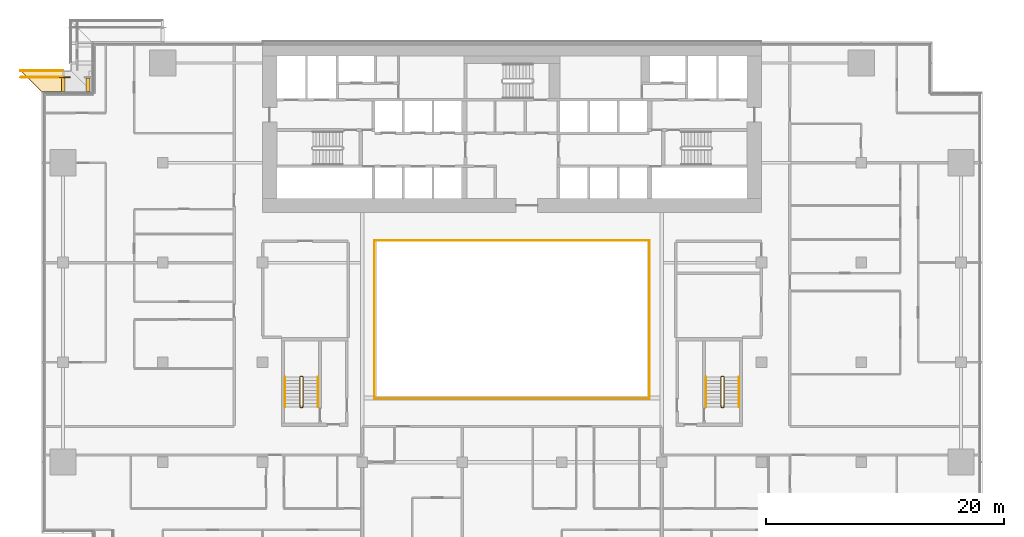
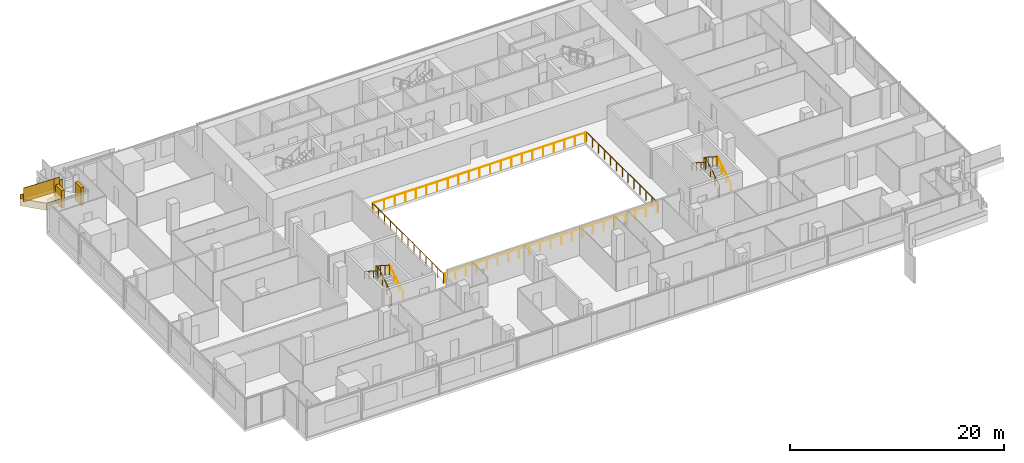
# One storey, part 26 of 30: 13 railings, 4 coverings.
"""IFC4 building model written with IfcOpenShell, lengths in metres."""

from ifc_helpers import new_model, si_unit, direction, frame, origin, origin_2d, place, context, subcontext, project, spatial, polyline, rectangle, circle, outline, extrude, material, layer, layer_set, type_object, element, save


model = new_model("IFC4")

# Units and contexts
model_context = context("Model", 3, precision=1e-05, world=origin(), true_north=direction((0.0, 1.0)))
body_context = subcontext(model_context, "Body", "Model", "MODEL_VIEW")
ifc_project = project(units=[si_unit("LENGTHUNIT", "METRE"), si_unit("AREAUNIT", "SQUARE_METRE"), si_unit("VOLUMEUNIT", "CUBIC_METRE"), si_unit("PLANEANGLEUNIT", "RADIAN"), si_unit("MASSUNIT", "GRAM", prefix="KILO")], contexts=[model_context])

# Site, building, storey
site_placement = place(None, origin())
site = spatial("IfcSite", under=ifc_project, at=site_placement, CompositionType="ELEMENT")
building_placement = place(site_placement, origin())
building = spatial("IfcBuilding", under=site, at=building_placement, Name="Saffron Gate Tower", CompositionType="ELEMENT")
storey_placement = place(building_placement, frame((0.0, 0.0, 69.60009765625)))
storey = spatial("IfcBuildingStorey", under=building, at=storey_placement, Name="L16", CompositionType="ELEMENT", Elevation=69.60009765625)

# Railings
ifc_material_1 = material(Name="Stainless steel and laminated glass", Category="steel")
railing_type_1 = type_object("IfcRailingType", Name="AG1 Atrium edge guard 1100", PredefinedType="GUARDRAIL", material=ifc_material_1)
railing_1_placement = place(storey_placement, frame((76.02001953125, 45.5400390625, 0.0)))
element("IfcRailing", 1, at=railing_1_placement, inside=storey, type_object=railing_type_1, Name="Guard A4-1", PredefinedType="GUARDRAIL", context=body_context, shape_type="SweptSolid", body=[
    extrude(circle(Radius=0.02392578125, at=origin_2d()), frame((0.0, 0.0, 1.076171875), z_axis=(0.0, 1.0, 0.0), x_axis=(-1.0, 0.0, 0.0)), (0.0, 0.0, 1.0), 13.320068359375),
    extrude(circle(Radius=0.02099609375, at=origin_2d()), origin(), (0.0, 0.0, 1.0), 1.052001953125),
    extrude(circle(Radius=0.02099609375, at=origin_2d()), frame((0.0, 1.110107421875, 0.0)), (0.0, 0.0, 1.0), 1.052001953125),
    extrude(circle(Radius=0.02099609375, at=origin_2d()), frame((0.0, 2.219970703125, 0.0)), (0.0, 0.0, 1.0), 1.052001953125),
    extrude(circle(Radius=0.02099609375, at=origin_2d()), frame((0.0, 3.330078125, 0.0)), (0.0, 0.0, 1.0), 1.052001953125),
    extrude(circle(Radius=0.02099609375, at=origin_2d()), frame((0.0, 4.43994140625, 0.0)), (0.0, 0.0, 1.0), 1.052001953125),
    extrude(circle(Radius=0.02099609375, at=origin_2d()), frame((0.0, 5.550048828125, 0.0)), (0.0, 0.0, 1.0), 1.052001953125),
    extrude(circle(Radius=0.02099609375, at=origin_2d()), frame((0.0, 6.66015625, 0.0)), (0.0, 0.0, 1.0), 1.052001953125),
    extrude(circle(Radius=0.02099609375, at=origin_2d()), frame((0.0, 7.77001953125, 0.0)), (0.0, 0.0, 1.0), 1.052001953125),
    extrude(circle(Radius=0.02099609375, at=origin_2d()), frame((0.0, 8.880126953125, 0.0)), (0.0, 0.0, 1.0), 1.052001953125),
    extrude(circle(Radius=0.02099609375, at=origin_2d()), frame((0.0, 9.989990234375, 0.0)), (0.0, 0.0, 1.0), 1.052001953125),
    extrude(circle(Radius=0.02099609375, at=origin_2d()), frame((0.0, 11.10009765625, 0.0)), (0.0, 0.0, 1.0), 1.052001953125),
    extrude(circle(Radius=0.02099609375, at=origin_2d()), frame((0.0, 12.2099609375, 0.0)), (0.0, 0.0, 1.0), 1.052001953125),
    extrude(circle(Radius=0.02099609375, at=origin_2d()), frame((0.0, 13.320068359375, 0.0)), (0.0, 0.0, 1.0), 1.052001953125),
])
railing_2_placement = place(storey_placement, frame((76.139892578125, 58.860107421875, 0.0)))
element("IfcRailing", 2, at=railing_2_placement, inside=storey, type_object=railing_type_1, Name="Guard A4-2", PredefinedType="GUARDRAIL", context=body_context, shape_type="SweptSolid", body=[
    extrude(circle(Radius=0.02392578125, at=origin_2d()), frame((0.0, 0.0, 1.076171875), z_axis=(1.0, 0.0, 0.0), x_axis=(0.0, 1.0, 0.0)), (0.0, 0.0, 1.0), 22.920166015625),
    extrude(circle(Radius=0.02099609375, at=origin_2d()), origin(), (0.0, 0.0, 1.0), 1.052001953125),
    extrude(circle(Radius=0.02099609375, at=origin_2d()), frame((1.14599609375, 0.0, 0.0)), (0.0, 0.0, 1.0), 1.052001953125),
    extrude(circle(Radius=0.02099609375, at=origin_2d()), frame((2.2919921875, 0.0, 0.0)), (0.0, 0.0, 1.0), 1.052001953125),
    extrude(circle(Radius=0.02099609375, at=origin_2d()), frame((3.43798828125, 0.0, 0.0)), (0.0, 0.0, 1.0), 1.052001953125),
    extrude(circle(Radius=0.02099609375, at=origin_2d()), frame((4.583984375, 0.0, 0.0)), (0.0, 0.0, 1.0), 1.052001953125),
    extrude(circle(Radius=0.02099609375, at=origin_2d()), frame((5.72998046875, 0.0, 0.0)), (0.0, 0.0, 1.0), 1.052001953125),
    extrude(circle(Radius=0.02099609375, at=origin_2d()), frame((6.8759765625, 0.0, 0.0)), (0.0, 0.0, 1.0), 1.052001953125),
    extrude(circle(Radius=0.02099609375, at=origin_2d()), frame((8.02197265625, 0.0, 0.0)), (0.0, 0.0, 1.0), 1.052001953125),
    extrude(circle(Radius=0.02099609375, at=origin_2d()), frame((9.16796875, 0.0, 0.0)), (0.0, 0.0, 1.0), 1.052001953125),
    extrude(circle(Radius=0.02099609375, at=origin_2d()), frame((10.31396484375, 0.0, 0.0)), (0.0, 0.0, 1.0), 1.052001953125),
    extrude(circle(Radius=0.02099609375, at=origin_2d()), frame((11.4599609375, 0.0, 0.0)), (0.0, 0.0, 1.0), 1.052001953125),
    extrude(circle(Radius=0.02099609375, at=origin_2d()), frame((12.606201171875, 0.0, 0.0)), (0.0, 0.0, 1.0), 1.052001953125),
    extrude(circle(Radius=0.02099609375, at=origin_2d()), frame((13.752197265625, 0.0, 0.0)), (0.0, 0.0, 1.0), 1.052001953125),
    extrude(circle(Radius=0.02099609375, at=origin_2d()), frame((14.898193359375, 0.0, 0.0)), (0.0, 0.0, 1.0), 1.052001953125),
    extrude(circle(Radius=0.02099609375, at=origin_2d()), frame((16.044189453125, 0.0, 0.0)), (0.0, 0.0, 1.0), 1.052001953125),
    extrude(circle(Radius=0.02099609375, at=origin_2d()), frame((17.190185546875, 0.0, 0.0)), (0.0, 0.0, 1.0), 1.052001953125),
    extrude(circle(Radius=0.02099609375, at=origin_2d()), frame((18.336181640625, 0.0, 0.0)), (0.0, 0.0, 1.0), 1.052001953125),
    extrude(circle(Radius=0.02099609375, at=origin_2d()), frame((19.482177734375, 0.0, 0.0)), (0.0, 0.0, 1.0), 1.052001953125),
    extrude(circle(Radius=0.02099609375, at=origin_2d()), frame((20.628173828125, 0.0, 0.0)), (0.0, 0.0, 1.0), 1.052001953125),
    extrude(circle(Radius=0.02099609375, at=origin_2d()), frame((21.774169921875, 0.0, 0.0)), (0.0, 0.0, 1.0), 1.052001953125),
    extrude(circle(Radius=0.02099609375, at=origin_2d()), frame((22.920166015625, 0.0, 0.0)), (0.0, 0.0, 1.0), 1.052001953125),
])
railing_3_placement = place(storey_placement, frame((99.179931640625, 58.860107421875, 0.0)))
element("IfcRailing", 3, at=railing_3_placement, inside=storey, type_object=railing_type_1, Name="Guard A4-3", PredefinedType="GUARDRAIL", context=body_context, shape_type="SweptSolid", body=[
    extrude(circle(Radius=0.02392578125, at=origin_2d()), frame((0.0, 0.0, 1.076171875), z_axis=(0.0, -1.0, 0.0), x_axis=(1.0, 0.0, 0.0)), (0.0, 0.0, 1.0), 13.320068359375),
    extrude(circle(Radius=0.02099609375, at=origin_2d()), origin(), (0.0, 0.0, 1.0), 1.052001953125),
    extrude(circle(Radius=0.02099609375, at=origin_2d()), frame((0.0, -1.110107421875, 0.0)), (0.0, 0.0, 1.0), 1.052001953125),
    extrude(circle(Radius=0.02099609375, at=origin_2d()), frame((0.0, -2.219970703125, 0.0)), (0.0, 0.0, 1.0), 1.052001953125),
    extrude(circle(Radius=0.02099609375, at=origin_2d()), frame((0.0, -3.330078125, 0.0)), (0.0, 0.0, 1.0), 1.052001953125),
    extrude(circle(Radius=0.02099609375, at=origin_2d()), frame((0.0, -4.43994140625, 0.0)), (0.0, 0.0, 1.0), 1.052001953125),
    extrude(circle(Radius=0.02099609375, at=origin_2d()), frame((0.0, -5.550048828125, 0.0)), (0.0, 0.0, 1.0), 1.052001953125),
    extrude(circle(Radius=0.02099609375, at=origin_2d()), frame((0.0, -6.66015625, 0.0)), (0.0, 0.0, 1.0), 1.052001953125),
    extrude(circle(Radius=0.02099609375, at=origin_2d()), frame((0.0, -7.77001953125, 0.0)), (0.0, 0.0, 1.0), 1.052001953125),
    extrude(circle(Radius=0.02099609375, at=origin_2d()), frame((0.0, -8.880126953125, 0.0)), (0.0, 0.0, 1.0), 1.052001953125),
    extrude(circle(Radius=0.02099609375, at=origin_2d()), frame((0.0, -9.989990234375, 0.0)), (0.0, 0.0, 1.0), 1.052001953125),
    extrude(circle(Radius=0.02099609375, at=origin_2d()), frame((0.0, -11.10009765625, 0.0)), (0.0, 0.0, 1.0), 1.052001953125),
    extrude(circle(Radius=0.02099609375, at=origin_2d()), frame((0.0, -12.2099609375, 0.0)), (0.0, 0.0, 1.0), 1.052001953125),
    extrude(circle(Radius=0.02099609375, at=origin_2d()), frame((0.0, -13.320068359375, 0.0)), (0.0, 0.0, 1.0), 1.052001953125),
])
railing_4_placement = place(storey_placement, frame((99.06005859375, 45.5400390625, 0.0)))
element("IfcRailing", 4, at=railing_4_placement, inside=storey, type_object=railing_type_1, Name="Guard A4-4", PredefinedType="GUARDRAIL", context=body_context, shape_type="SweptSolid", body=[
    extrude(circle(Radius=0.02392578125, at=origin_2d()), frame((0.0, 0.0, 1.076171875), z_axis=(-1.0, 0.0, 0.0), x_axis=(0.0, -1.0, 0.0)), (0.0, 0.0, 1.0), 22.920166015625),
    extrude(circle(Radius=0.02099609375, at=origin_2d()), origin(), (0.0, 0.0, 1.0), 1.052001953125),
    extrude(circle(Radius=0.02099609375, at=origin_2d()), frame((-1.14599609375, 0.0, 0.0)), (0.0, 0.0, 1.0), 1.052001953125),
    extrude(circle(Radius=0.02099609375, at=origin_2d()), frame((-2.2919921875, 0.0, 0.0)), (0.0, 0.0, 1.0), 1.052001953125),
    extrude(circle(Radius=0.02099609375, at=origin_2d()), frame((-3.43798828125, 0.0, 0.0)), (0.0, 0.0, 1.0), 1.052001953125),
    extrude(circle(Radius=0.02099609375, at=origin_2d()), frame((-4.583984375, 0.0, 0.0)), (0.0, 0.0, 1.0), 1.052001953125),
    extrude(circle(Radius=0.02099609375, at=origin_2d()), frame((-5.72998046875, 0.0, 0.0)), (0.0, 0.0, 1.0), 1.052001953125),
    extrude(circle(Radius=0.02099609375, at=origin_2d()), frame((-6.8759765625, 0.0, 0.0)), (0.0, 0.0, 1.0), 1.052001953125),
    extrude(circle(Radius=0.02099609375, at=origin_2d()), frame((-8.02197265625, 0.0, 0.0)), (0.0, 0.0, 1.0), 1.052001953125),
    extrude(circle(Radius=0.02099609375, at=origin_2d()), frame((-9.16796875, 0.0, 0.0)), (0.0, 0.0, 1.0), 1.052001953125),
    extrude(circle(Radius=0.02099609375, at=origin_2d()), frame((-10.31396484375, 0.0, 0.0)), (0.0, 0.0, 1.0), 1.052001953125),
    extrude(circle(Radius=0.02099609375, at=origin_2d()), frame((-11.4599609375, 0.0, 0.0)), (0.0, 0.0, 1.0), 1.052001953125),
    extrude(circle(Radius=0.02099609375, at=origin_2d()), frame((-12.606201171875, 0.0, 0.0)), (0.0, 0.0, 1.0), 1.052001953125),
    extrude(circle(Radius=0.02099609375, at=origin_2d()), frame((-13.752197265625, 0.0, 0.0)), (0.0, 0.0, 1.0), 1.052001953125),
    extrude(circle(Radius=0.02099609375, at=origin_2d()), frame((-14.898193359375, 0.0, 0.0)), (0.0, 0.0, 1.0), 1.052001953125),
    extrude(circle(Radius=0.02099609375, at=origin_2d()), frame((-16.044189453125, 0.0, 0.0)), (0.0, 0.0, 1.0), 1.052001953125),
    extrude(circle(Radius=0.02099609375, at=origin_2d()), frame((-17.190185546875, 0.0, 0.0)), (0.0, 0.0, 1.0), 1.052001953125),
    extrude(circle(Radius=0.02099609375, at=origin_2d()), frame((-18.336181640625, 0.0, 0.0)), (0.0, 0.0, 1.0), 1.052001953125),
    extrude(circle(Radius=0.02099609375, at=origin_2d()), frame((-19.482177734375, 0.0, 0.0)), (0.0, 0.0, 1.0), 1.052001953125),
    extrude(circle(Radius=0.02099609375, at=origin_2d()), frame((-20.628173828125, 0.0, 0.0)), (0.0, 0.0, 1.0), 1.052001953125),
    extrude(circle(Radius=0.02099609375, at=origin_2d()), frame((-21.774169921875, 0.0, 0.0)), (0.0, 0.0, 1.0), 1.052001953125),
    extrude(circle(Radius=0.02099609375, at=origin_2d()), frame((-22.920166015625, 0.0, 0.0)), (0.0, 0.0, 1.0), 1.052001953125),
])
railing_type_2 = type_object("IfcRailingType", Name="CR1 Stair guard 1100", PredefinedType="GUARDRAIL", material=ifc_material_1)
railing_5_placement = place(storey_placement, frame((69.800048828125, 44.800048828125, 0.0)))
element("IfcRailing", 5, at=railing_5_placement, inside=storey, type_object=railing_type_2, Name="L16 ST-D stair guard 1", PredefinedType="GUARDRAIL", context=body_context, shape_type="SweptSolid", body=[
    extrude(circle(Radius=0.02392578125, at=origin_2d()), frame((0.0, 0.0, 1.076171875), z_axis=(1.0, 0.0, 0.0), x_axis=(0.0, 1.0, 0.0)), (0.0, 0.0, 1.0), 0.14990234375),
    extrude(circle(Radius=0.02392578125, at=origin_2d()), frame((0.14990234375, 0.0, 1.076171875), z_axis=(0.258847668887, 0.258847668887, 0.930588936439), x_axis=(-0.707106781187, 0.707106781187, 0.0)), (0.0, 0.0, 1.0), 0.193359375),
    extrude(circle(Radius=0.02392578125, at=origin_2d()), frame((0.199951171875, 0.050048828125, 1.255859375), z_axis=(0.0, 0.841199657755, 0.540724639528), x_axis=(-1.0, 0.0, 0.0)), (0.0, 0.0, 1.0), 2.995849609375),
    extrude(circle(Radius=0.02392578125, at=origin_2d()), frame((0.199951171875, 2.570068359375, 2.8759765625), z_axis=(-0.708833529934, 0.705375805398, 0.0), x_axis=(-0.705375805398, -0.708833529934, 0.0)), (0.0, 0.0, 1.0), 0.070556640625),
    extrude(circle(Radius=0.02392578125, at=origin_2d()), frame((0.14990234375, 2.619873046875, 2.8759765625), z_axis=(-1.0, 0.0, 0.0), x_axis=(0.0, -1.0, 0.0)), (0.0, 0.0, 1.0), 0.14990234375),
    extrude(circle(Radius=0.02392578125, at=origin_2d()), frame((0.0, 2.619873046875, 2.8759765625), z_axis=(-0.258627984543, -0.257366384619, 0.931060744355), x_axis=(0.705375805398, -0.708833529934, 0.0)), (0.0, 0.0, 1.0), 0.193603515625),
    extrude(circle(Radius=0.02392578125, at=origin_2d()), frame((-0.050048828125, 2.570068359375, 3.05615234375), z_axis=(0.0, -0.841199657755, 0.540724639528), x_axis=(1.0, 0.0, 0.0)), (0.0, 0.0, 1.0), 2.995849609375),
    extrude(circle(Radius=0.02099609375, at=origin_2d()), origin(), (0.0, 0.0, 1.0), 1.052001953125),
    extrude(circle(Radius=0.02099609375, at=origin_2d()), frame((0.14990234375, 0.0, 0.0)), (0.0, 0.0, 1.0), 1.052001953125),
    extrude(circle(Radius=0.02099609375, at=origin_2d()), frame((0.199951171875, 0.050048828125, 0.179931640625)), (0.0, 0.0, 1.0), 1.052001953125),
    extrude(circle(Radius=0.02099609375, at=origin_2d()), frame((0.199951171875, 0.89013671875, 0.719970703125)), (0.0, 0.0, 1.0), 1.052001953125),
    extrude(circle(Radius=0.02099609375, at=origin_2d()), frame((0.199951171875, 1.72998046875, 1.259765625)), (0.0, 0.0, 1.0), 1.052001953125),
    extrude(circle(Radius=0.02099609375, at=origin_2d()), frame((0.199951171875, 2.570068359375, 1.7998046875)), (0.0, 0.0, 1.0), 1.052001953125),
    extrude(circle(Radius=0.02099609375, at=origin_2d()), frame((0.14990234375, 2.619873046875, 1.7998046875)), (0.0, 0.0, 1.0), 1.052001953125),
    extrude(circle(Radius=0.02099609375, at=origin_2d()), frame((0.0, 2.619873046875, 1.7998046875)), (0.0, 0.0, 1.0), 1.052001953125),
    extrude(circle(Radius=0.02099609375, at=origin_2d()), frame((-0.050048828125, 2.570068359375, 1.97998046875)), (0.0, 0.0, 1.0), 1.052001953125),
    extrude(circle(Radius=0.02099609375, at=origin_2d()), frame((-0.050048828125, 1.72998046875, 2.52001953125)), (0.0, 0.0, 1.0), 1.052001953125),
    extrude(circle(Radius=0.02099609375, at=origin_2d()), frame((-0.050048828125, 0.89013671875, 3.059814453125)), (0.0, 0.0, 1.0), 1.052001953125),
    extrude(circle(Radius=0.02099609375, at=origin_2d()), frame((-0.050048828125, 0.050048828125, 3.599853515625)), (0.0, 0.0, 1.0), 1.052001953125),
])
railing_6_placement = place(storey_placement, frame((105.25, 44.800048828125, 0.0)))
element("IfcRailing", 6, at=railing_6_placement, inside=storey, type_object=railing_type_2, Name="L16 ST-E stair guard 1", PredefinedType="GUARDRAIL", context=body_context, shape_type="SweptSolid", body=[
    extrude(circle(Radius=0.02392578125, at=origin_2d()), frame((0.0, 0.0, 1.076171875), z_axis=(1.0, 0.0, 0.0), x_axis=(0.0, 1.0, 0.0)), (0.0, 0.0, 1.0), 0.14990234375),
    extrude(circle(Radius=0.02392578125, at=origin_2d()), frame((0.14990234375, 0.0, 1.076171875), z_axis=(0.258847668887, 0.258847668887, 0.930588936439), x_axis=(-0.707106781187, 0.707106781187, 0.0)), (0.0, 0.0, 1.0), 0.193359375),
    extrude(circle(Radius=0.02392578125, at=origin_2d()), frame((0.199951171875, 0.050048828125, 1.255859375), z_axis=(0.0, 0.841199657755, 0.540724639528), x_axis=(-1.0, 0.0, 0.0)), (0.0, 0.0, 1.0), 2.995849609375),
    extrude(circle(Radius=0.02392578125, at=origin_2d()), frame((0.199951171875, 2.570068359375, 2.8759765625), z_axis=(-0.708833529934, 0.705375805398, 0.0), x_axis=(-0.705375805398, -0.708833529934, 0.0)), (0.0, 0.0, 1.0), 0.070556640625),
    extrude(circle(Radius=0.02392578125, at=origin_2d()), frame((0.14990234375, 2.619873046875, 2.8759765625), z_axis=(-1.0, 0.0, 0.0), x_axis=(0.0, -1.0, 0.0)), (0.0, 0.0, 1.0), 0.14990234375),
    extrude(circle(Radius=0.02392578125, at=origin_2d()), frame((0.0, 2.619873046875, 2.8759765625), z_axis=(-0.258627984543, -0.257366384619, 0.931060744355), x_axis=(0.705375805398, -0.708833529934, 0.0)), (0.0, 0.0, 1.0), 0.193603515625),
    extrude(circle(Radius=0.02392578125, at=origin_2d()), frame((-0.050048828125, 2.570068359375, 3.05615234375), z_axis=(0.0, -0.841199657755, 0.540724639528), x_axis=(1.0, 0.0, 0.0)), (0.0, 0.0, 1.0), 2.995849609375),
    extrude(circle(Radius=0.02099609375, at=origin_2d()), origin(), (0.0, 0.0, 1.0), 1.052001953125),
    extrude(circle(Radius=0.02099609375, at=origin_2d()), frame((0.14990234375, 0.0, 0.0)), (0.0, 0.0, 1.0), 1.052001953125),
    extrude(circle(Radius=0.02099609375, at=origin_2d()), frame((0.199951171875, 0.050048828125, 0.179931640625)), (0.0, 0.0, 1.0), 1.052001953125),
    extrude(circle(Radius=0.02099609375, at=origin_2d()), frame((0.199951171875, 0.89013671875, 0.719970703125)), (0.0, 0.0, 1.0), 1.052001953125),
    extrude(circle(Radius=0.02099609375, at=origin_2d()), frame((0.199951171875, 1.72998046875, 1.259765625)), (0.0, 0.0, 1.0), 1.052001953125),
    extrude(circle(Radius=0.02099609375, at=origin_2d()), frame((0.199951171875, 2.570068359375, 1.7998046875)), (0.0, 0.0, 1.0), 1.052001953125),
    extrude(circle(Radius=0.02099609375, at=origin_2d()), frame((0.14990234375, 2.619873046875, 1.7998046875)), (0.0, 0.0, 1.0), 1.052001953125),
    extrude(circle(Radius=0.02099609375, at=origin_2d()), frame((0.0, 2.619873046875, 1.7998046875)), (0.0, 0.0, 1.0), 1.052001953125),
    extrude(circle(Radius=0.02099609375, at=origin_2d()), frame((-0.050048828125, 2.570068359375, 1.97998046875)), (0.0, 0.0, 1.0), 1.052001953125),
    extrude(circle(Radius=0.02099609375, at=origin_2d()), frame((-0.050048828125, 1.72998046875, 2.52001953125)), (0.0, 0.0, 1.0), 1.052001953125),
    extrude(circle(Radius=0.02099609375, at=origin_2d()), frame((-0.050048828125, 0.89013671875, 3.059814453125)), (0.0, 0.0, 1.0), 1.052001953125),
    extrude(circle(Radius=0.02099609375, at=origin_2d()), frame((-0.050048828125, 0.050048828125, 3.599853515625)), (0.0, 0.0, 1.0), 1.052001953125),
])
ifc_material_2 = material(Name="Stainless steel", Category="steel")
railing_type_3 = type_object("IfcRailingType", Name="CR2 Stair handrail 900", PredefinedType="HANDRAIL", material=ifc_material_2)
railing_7_placement = place(storey_placement, frame((71.25, 44.85009765625, 0.179931640625)))
element("IfcRailing", 7, at=railing_7_placement, inside=storey, type_object=railing_type_3, Name="L16 ST-D stair handrail 1", PredefinedType="HANDRAIL", context=body_context, shape_type="SweptSolid", body=[
    extrude(circle(Radius=0.02392578125, at=origin_2d()), frame((0.0, 0.0, 0.8759765625), z_axis=(0.0, 0.841199657755, 0.540724639528), x_axis=(-1.0, 0.0, 0.0)), (0.0, 0.0, 1.0), 2.995849609375),
    extrude(circle(Radius=0.02099609375, at=origin_2d()), origin(), (0.0, 0.0, 1.0), 0.851806640625),
    extrude(circle(Radius=0.02099609375, at=origin_2d()), frame((0.0, 0.840087890625, 0.5400390625)), (0.0, 0.0, 1.0), 0.851806640625),
    extrude(circle(Radius=0.02099609375, at=origin_2d()), frame((0.0, 1.679931640625, 1.079833984375)), (0.0, 0.0, 1.0), 0.851806640625),
    extrude(circle(Radius=0.02099609375, at=origin_2d()), frame((0.0, 2.52001953125, 1.619873046875)), (0.0, 0.0, 1.0), 0.851806640625),
])
railing_8_placement = place(storey_placement, frame((68.5, 47.3701171875, 1.97998046875)))
element("IfcRailing", 8, at=railing_8_placement, inside=storey, type_object=railing_type_3, Name="L16 ST-D stair handrail 2", PredefinedType="HANDRAIL", context=body_context, shape_type="SweptSolid", body=[
    extrude(circle(Radius=0.02392578125, at=origin_2d()), frame((0.0, 0.0, 0.8759765625), z_axis=(0.0, -0.841199657755, 0.540724639528), x_axis=(1.0, 0.0, 0.0)), (0.0, 0.0, 1.0), 2.995849609375),
    extrude(circle(Radius=0.02099609375, at=origin_2d()), origin(), (0.0, 0.0, 1.0), 0.851806640625),
    extrude(circle(Radius=0.02099609375, at=origin_2d()), frame((0.0, -0.840087890625, 0.5400390625)), (0.0, 0.0, 1.0), 0.851806640625),
    extrude(circle(Radius=0.02099609375, at=origin_2d()), frame((0.0, -1.679931640625, 1.079833984375)), (0.0, 0.0, 1.0), 0.851806640625),
    extrude(circle(Radius=0.02099609375, at=origin_2d()), frame((0.0, -2.52001953125, 1.619873046875)), (0.0, 0.0, 1.0), 0.851806640625),
])
railing_9_placement = place(storey_placement, frame((106.699951171875, 44.85009765625, 0.179931640625)))
element("IfcRailing", 9, at=railing_9_placement, inside=storey, type_object=railing_type_3, Name="L16 ST-E stair handrail 1", PredefinedType="HANDRAIL", context=body_context, shape_type="SweptSolid", body=[
    extrude(circle(Radius=0.02392578125, at=origin_2d()), frame((0.0, 0.0, 0.8759765625), z_axis=(0.0, 0.841199657755, 0.540724639528), x_axis=(-1.0, 0.0, 0.0)), (0.0, 0.0, 1.0), 2.995849609375),
    extrude(circle(Radius=0.02099609375, at=origin_2d()), origin(), (0.0, 0.0, 1.0), 0.851806640625),
    extrude(circle(Radius=0.02099609375, at=origin_2d()), frame((0.0, 0.840087890625, 0.5400390625)), (0.0, 0.0, 1.0), 0.851806640625),
    extrude(circle(Radius=0.02099609375, at=origin_2d()), frame((0.0, 1.679931640625, 1.079833984375)), (0.0, 0.0, 1.0), 0.851806640625),
    extrude(circle(Radius=0.02099609375, at=origin_2d()), frame((0.0, 2.52001953125, 1.619873046875)), (0.0, 0.0, 1.0), 0.851806640625),
])
railing_10_placement = place(storey_placement, frame((103.949951171875, 47.3701171875, 1.97998046875)))
element("IfcRailing", 10, at=railing_10_placement, inside=storey, type_object=railing_type_3, Name="L16 ST-E stair handrail 2", PredefinedType="HANDRAIL", context=body_context, shape_type="SweptSolid", body=[
    extrude(circle(Radius=0.02392578125, at=origin_2d()), frame((0.0, 0.0, 0.8759765625), z_axis=(0.0, -0.841199657755, 0.540724639528), x_axis=(1.0, 0.0, 0.0)), (0.0, 0.0, 1.0), 2.995849609375),
    extrude(circle(Radius=0.02099609375, at=origin_2d()), origin(), (0.0, 0.0, 1.0), 0.851806640625),
    extrude(circle(Radius=0.02099609375, at=origin_2d()), frame((0.0, -0.840087890625, 0.5400390625)), (0.0, 0.0, 1.0), 0.851806640625),
    extrude(circle(Radius=0.02099609375, at=origin_2d()), frame((0.0, -1.679931640625, 1.079833984375)), (0.0, 0.0, 1.0), 0.851806640625),
    extrude(circle(Radius=0.02099609375, at=origin_2d()), frame((0.0, -2.52001953125, 1.619873046875)), (0.0, 0.0, 1.0), 0.851806640625),
])

# Coverings
ifc_material_3 = material(Name="Timber, thermally modified ash", Category="wood")
ifc_layer_1 = layer(ifc_material_3, 0.800048828125)
ifc_layer_set_1 = layer_set([ifc_layer_1], Name="LD1 ledge timber")
covering_type_1 = type_object("IfcCoveringType", Name="LD1 ledge timber", PredefinedType="CLADDING", material=ifc_layer_set_1)
covering_1_placement = place(storey_placement, frame((49.800048828125, 71.39990234375, 3.218994140625), z_axis=(0.028831989003, 4.5191205e-05, 0.999584270769), x_axis=(-0.999584271789, -2.041e-09, 0.028831989032)))
element("IfcCovering", 11, at=covering_1_placement, inside=storey, type_object=covering_type_1, Name="LEDGE", PredefinedType="CLADDING", context=body_context, shape_type="SweptSolid", body=[
    extrude(outline(polyline([(0.0, 0.0), (1.8007998167885757, 0.0), (3.6015925908427215, -1.800048837315338), (-3.6746077267916745e-09, -1.80004882628693), (0.0, 0.0)])), origin(), (0.0, 0.0, -1.0), 0.800048828125),
])
ifc_layer_2 = layer(ifc_material_3, 0.080078125)
ifc_layer_set_2 = layer_set([ifc_layer_2], Name="LD2 ledge planter trough")
covering_type_2 = type_object("IfcCoveringType", Name="LD2 ledge planter trough", PredefinedType="CLADDING", material=ifc_layer_set_2)
covering_2_placement = place(storey_placement, frame((49.800048828125, 73.199951171875, 3.218994140625), z_axis=(0.0, 1.0, 0.0), x_axis=(-0.99958492274, 0.0, 0.028809412191)))
element("IfcCovering", 12, at=covering_2_placement, inside=storey, type_object=covering_type_2, Name="LEDGE planter trough", PredefinedType="CLADDING", context=body_context, shape_type="SweptSolid", body=[
    extrude(outline(polyline([(0.0, 0.0), (3.601592595435983, 0.0), (3.6159973015313485, 0.4997924613700232), (0.014404706095365512, 0.4997924613700232), (0.0, 0.0)])), origin(), (0.0, 0.0, -1.0), 0.080078125),
])
ifc_layer_3 = layer(ifc_material_3, 0.300048828125)
ifc_layer_set_3 = layer_set([ifc_layer_3], Name="LD3 ledge riser fin")
covering_type_3 = type_object("IfcCoveringType", Name="LD3 ledge riser fin", PredefinedType="CLADDING", material=ifc_layer_set_3)
for number, where, z_axis, x_axis, name in (
    (13, (51.89990234375, 71.9599609375, 1.6640625), (0.0, 0.0, 1.0), (-1.0, 0.0, 0.0), "LEDGE riser fin"),
    (14, (49.800048828125, 71.9599609375, 2.076171875), (0.0, 0.0, 1.0), (-1.0, 0.0, 0.0), "LEDGE riser fin"),
):
    element("IfcCovering", number, at=place(storey_placement, frame(where, z_axis=z_axis, x_axis=x_axis)), inside=storey, type_object=covering_type_3, Name=name, PredefinedType="CLADDING", context=body_context, shape_type="SweptSolid", body=[
        extrude(rectangle(XDim=0.300048828125, YDim=1.1201171875, at=origin_2d()), origin(), (0.0, 0.0, 1.0), 2.04296875),
    ])

# Railings
railing_type_4 = type_object("IfcRailingType", Name="LG1 ledge balustrade", PredefinedType="BALUSTRADE", material=ifc_material_3)
railing_11_placement = place(storey_placement, frame((50.39990234375, 72.60009765625, 2.85888671875)))
element("IfcRailing", 15, at=railing_11_placement, inside=storey, type_object=railing_type_4, Name="LEDGE BALUSTRADE", PredefinedType="BALUSTRADE", context=body_context, shape_type="SweptSolid", body=[
    extrude(rectangle(XDim=0.06005859375, YDim=1.60009765625, at=origin_2d()), frame((0.0, 0.0, 0.800048828125), z_axis=(-0.999594406032, 0.0, 0.028478473106), x_axis=(0.0, -1.0, 0.0)), (0.0, 0.0, 1.0), 0.60009765625),
])
railing_12_placement = place(storey_placement, frame((49.800048828125, 72.60009765625, 3.218994140625)))
element("IfcRailing", 16, at=railing_12_placement, inside=storey, type_object=railing_type_4, Name="LEDGE BALUSTRADE", PredefinedType="BALUSTRADE", context=body_context, shape_type="SweptSolid", body=[
    extrude(rectangle(XDim=0.06005859375, YDim=1.60009765625, at=origin_2d()), frame((0.0, 0.0, 0.800048828125), z_axis=(-0.99958492274, 0.0, 0.028809412191), x_axis=(0.0, -1.0, 0.0)), (0.0, 0.0, 1.0), 3.6015625),
])
railing_13_placement = place(storey_placement, frame((50.10009765625, 72.60009765625, 2.8759765625)))
element("IfcRailing", 17, at=railing_13_placement, inside=storey, type_object=railing_type_4, Name="LEDGE BALUSTRADE", PredefinedType="BALUSTRADE", context=body_context, shape_type="SweptSolid", body=[
    extrude(rectangle(XDim=0.06005859375, YDim=1.943115234375, at=origin_2d()), frame((0.0, 0.0, 0.9716796875), z_axis=(-1.0, 0.0, 0.0), x_axis=(0.0, -1.0, 0.0)), (0.0, 0.0, 1.0), 0.60009765625),
])

save(model, "model.ifc")
